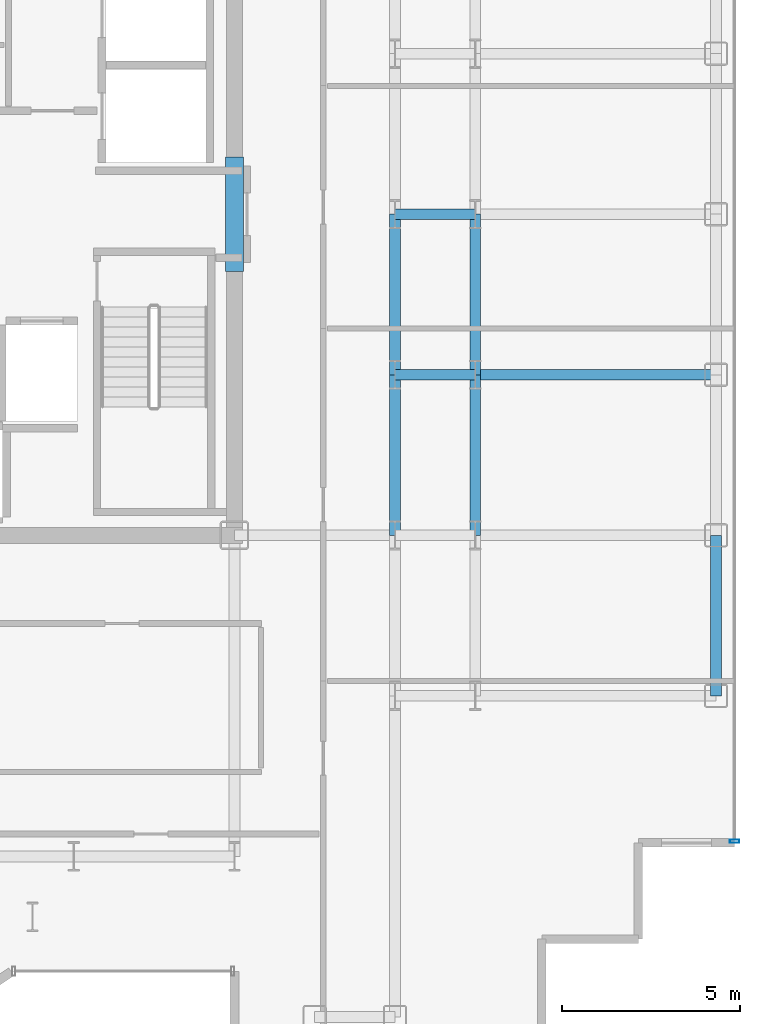
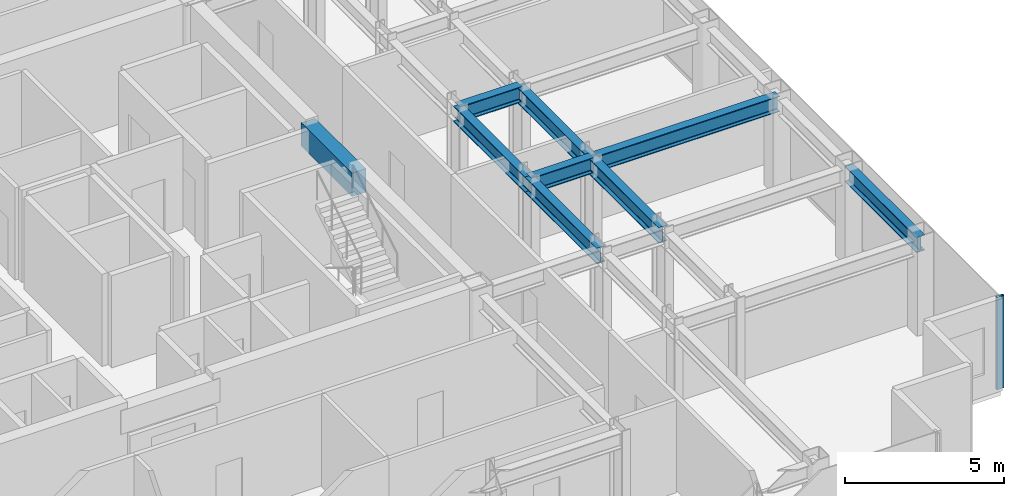
# One storey, part 6 of 20: 9 beams, 1 member, 1 element without a shape of its own.
"""IFC4 building model written with IfcOpenShell, lengths in metres."""

import ifcopenshell
import ifcopenshell.guid

model = None  # the IFC model being written
_history = None  # IfcOwnerHistory: only IFC2X3 demands one
_inside = {}  # id of a spatial element -> (the spatial element, [elements in it])
_under = {}  # id of a project, library or spatial element -> (it, [spatial elements below it])
_declared = {}  # id of a project -> (the project, [libraries it declares])
_typed = {}  # id of a type object -> (the type object, [elements of that type])
_made_of = {}  # id of a material, layer set ... -> (it, [elements and type objects made of it])


def new_model(schema):
    """Start an empty IFC model of exactly this schema.

    Asked for "IFC4X3", IfcOpenShell would pick the latest addendum, in which some entities
    have other attributes; the version numbers below select the first issue.
    IFC2X3 requires an IfcOwnerHistory on every rooted entity: one is made here for all.
    """
    global model, _history
    if schema == "IFC4X3":
        model = ifcopenshell.file(schema_version=(4, 3, 0, 0))
    else:
        model = ifcopenshell.file(schema=schema)
    _inside.clear()
    _under.clear()
    _declared.clear()
    _typed.clear()
    _made_of.clear()
    _history = None
    if model.schema == "IFC2X3":
        org = make("IfcOrganization", Name="unknown")
        user = make(
            "IfcPersonAndOrganization",
            ThePerson=make("IfcPerson", FamilyName="unknown"),
            TheOrganization=org,
        )
        app = make(
            "IfcApplication",
            ApplicationDeveloper=org,
            Version="unknown",
            ApplicationFullName="unknown",
            ApplicationIdentifier="unknown",
        )
        _history = make(
            "IfcOwnerHistory",
            OwningUser=user,
            OwningApplication=app,
            ChangeAction="ADDED",
            CreationDate=0,
        )
    return model


def make(cls, **values):
    """One entity of the class cls with the attributes given. An attribute that is None is left unset."""
    return model.create_entity(
        cls, **{name: value for name, value in values.items() if value is not None}
    )


def rooted(cls, **values):
    """An entity with a GlobalId (a new one), such as an element, a storey or a relation."""
    return make(cls, GlobalId=ifcopenshell.guid.new(), OwnerHistory=_history, **values)


def si_unit(unit_type, name, prefix=None):
    """IfcSIUnit, for example si_unit("LENGTHUNIT", "METRE", prefix="MILLI")."""
    return make("IfcSIUnit", UnitType=unit_type, Prefix=prefix, Name=name)


def assignment(units):
    """IfcUnitAssignment: the units of a project."""
    return None if units is None else make("IfcUnitAssignment", Units=units)


def point(xyz):
    """IfcCartesianPoint."""
    return None if xyz is None else make("IfcCartesianPoint", Coordinates=xyz)


def direction(xyz):
    """IfcDirection."""
    return None if xyz is None else make("IfcDirection", DirectionRatios=xyz)


def frame(location, z_axis=None, x_axis=None):
    """IfcAxis2Placement3D, a coordinate frame: its origin and axes. An axis left out is left unset."""
    return make(
        "IfcAxis2Placement3D",
        Location=point(location),
        Axis=direction(z_axis),
        RefDirection=direction(x_axis),
    )


def frame_2d(location, x_axis=None):
    """IfcAxis2Placement2D, a coordinate frame in the plane: its origin and x axis."""
    return make(
        "IfcAxis2Placement2D", Location=point(location), RefDirection=direction(x_axis)
    )


def origin():
    """The frame at (0, 0, 0) with its axes left unset."""
    return frame((0.0, 0.0, 0.0))


def origin_2d():
    """The frame at (0, 0) in the plane with its x axis left unset."""
    return frame_2d((0.0, 0.0))


def place(relative_to, where):
    """IfcLocalPlacement: puts the frame where relative to a parent placement (None: the world)."""
    return make(
        "IfcLocalPlacement", PlacementRelTo=relative_to, RelativePlacement=where
    )


def context(
    kind, dimensions, precision=None, world=None, true_north=None, identifier=None
):
    """IfcGeometricRepresentationContext, for example the 3D "Model" context."""
    return make(
        "IfcGeometricRepresentationContext",
        ContextIdentifier=identifier,
        ContextType=kind,
        CoordinateSpaceDimension=dimensions,
        Precision=precision,
        WorldCoordinateSystem=world,
        TrueNorth=true_north,
    )


def subcontext(parent, identifier, kind, view, scale=None):
    """IfcGeometricRepresentationSubContext, for example "Body" below "Model"."""
    return make(
        "IfcGeometricRepresentationSubContext",
        ContextIdentifier=identifier,
        ContextType=kind,
        ParentContext=parent,
        TargetScale=scale,
        TargetView=view,
    )


def project(units=None, contexts=None):
    """IfcProject with its units and contexts."""
    return rooted(
        "IfcProject",
        Name="project",
        RepresentationContexts=contexts,
        UnitsInContext=assignment(units),
    )


def spatial(cls, under=None, at=None, **own):
    """A site, building, storey or space (cls), placed at a placement, below another one or the project."""
    s = rooted(cls, ObjectPlacement=at, **own)
    if under is not None:
        _under.setdefault(under.id(), (under, []))[1].append(s)
    return s


def profile(cls, at=None, kind="AREA", **sizes):
    """A parametric profile (cls). Its sizes go by their IFC names, for example OverallWidth=200.0."""
    return make(cls, ProfileType=kind, Position=at, **sizes)


def rectangle(**sizes):
    """IfcRectangleProfileDef."""
    return profile("IfcRectangleProfileDef", **sizes)


def hollow_rectangle(**sizes):
    """IfcRectangleHollowProfileDef."""
    return profile("IfcRectangleHollowProfileDef", **sizes)


def i_section(**sizes):
    """IfcIShapeProfileDef."""
    return profile("IfcIShapeProfileDef", **sizes)


def extrude(swept, where, along, depth):
    """IfcExtrudedAreaSolid: the profile swept, set in the frame where, extruded along a direction by depth."""
    return make(
        "IfcExtrudedAreaSolid",
        SweptArea=swept,
        Position=where,
        ExtrudedDirection=direction(along),
        Depth=depth,
    )


def shape(context_of_items, identifier, shape_type, items):
    """IfcShapeRepresentation: the items that make up one representation, for example the "Body"."""
    return make(
        "IfcShapeRepresentation",
        ContextOfItems=context_of_items,
        RepresentationIdentifier=identifier,
        RepresentationType=shape_type,
        Items=items,
    )


def source(mapping_origin, context_of_items, identifier, shape_type, items):
    """IfcRepresentationMap: a shape defined once, which mapped items show again and again."""
    return make(
        "IfcRepresentationMap",
        MappingOrigin=mapping_origin,
        MappedRepresentation=shape(context_of_items, identifier, shape_type, items),
    )


def transform(
    local_origin,
    x_axis=None,
    y_axis=None,
    z_axis=None,
    scale=None,
    scale2=None,
    scale3=None,
    uniform=True,
):
    """IfcCartesianTransformationOperator3D, or its non-uniform kind. x_axis, y_axis, z_axis: its Axis1, 2, 3."""
    if uniform:
        return make(
            "IfcCartesianTransformationOperator3D",
            Axis1=direction(x_axis),
            Axis2=direction(y_axis),
            LocalOrigin=point(local_origin),
            Scale=scale,
            Axis3=direction(z_axis),
        )
    return make(
        "IfcCartesianTransformationOperator3DnonUniform",
        Axis1=direction(x_axis),
        Axis2=direction(y_axis),
        LocalOrigin=point(local_origin),
        Scale=scale,
        Axis3=direction(z_axis),
        Scale2=scale2,
        Scale3=scale3,
    )


def mapped(mapping_source, mapping_target):
    """IfcMappedItem: shows the shape of a source again, moved by a transform."""
    return make(
        "IfcMappedItem", MappingSource=mapping_source, MappingTarget=mapping_target
    )


def material(Name=None, Category=None):
    """IfcMaterial."""
    return make("IfcMaterial", Name=Name, Category=Category)


def layer(
    of_material, thickness, ventilated=None, Name=None, Category=None, Priority=None
):
    """IfcMaterialLayer: one layer of a wall or slab, of a material (None: an air gap)."""
    return make(
        "IfcMaterialLayer",
        Material=of_material,
        LayerThickness=thickness,
        IsVentilated=ventilated,
        Name=Name,
        Category=Category,
        Priority=Priority,
    )


def layer_set(layers, Name=None):
    """IfcMaterialLayerSet."""
    return make("IfcMaterialLayerSet", MaterialLayers=layers, LayerSetName=Name)


def material_profile(
    of_material, cross_section, Name=None, Category=None, Priority=None
):
    """IfcMaterialProfile: a cross section and its material."""
    return make(
        "IfcMaterialProfile",
        Name=Name,
        Material=of_material,
        Profile=cross_section,
        Priority=Priority,
        Category=Category,
    )


def profile_set(profiles, Name=None, composite=None):
    """IfcMaterialProfileSet."""
    return make(
        "IfcMaterialProfileSet",
        Name=Name,
        MaterialProfiles=profiles,
        CompositeProfile=composite,
    )


def made_of(thing, what):
    """Note that an element or type object is made of a material, layer set ...; save() writes the relation."""
    if what is not None:
        _made_of.setdefault(what.id(), (what, []))[1].append(thing)
    return thing


def type_object(cls, material=None, **own):
    """A type object (cls), such as IfcWallType, which elements share."""
    return made_of(rooted(cls, **own), material)


def element(
    cls,
    number,
    at=None,
    inside=None,
    cuts=None,
    type_object=None,
    material=None,
    context=None,
    identifier="Body",
    shape_type=None,
    held_by="IfcProductDefinitionShape",
    body=None,
    shapes=None,
    **own,
):
    """One element of the class cls, such as IfcWall. Its Tag is "e" and its number.

    at: its placement. inside: the storey or other place that contains it. cuts: it is an
    opening in that element (IfcRelVoidsElement). A single representation is given by context,
    identifier, shape_type and body (its items); several are given by shapes. held_by: the class
    of the entity that holds the representations. save() writes the other relations.
    """
    e = rooted(cls, Tag="e%d" % number, ObjectPlacement=at, **own)
    if body is not None:
        shapes = [shape(context, identifier, shape_type, body)]
    if shapes is not None:
        e.Representation = make(held_by, Representations=shapes)
    if inside is not None:
        _inside.setdefault(inside.id(), (inside, []))[1].append(e)
    if cuts is not None:
        rooted(
            "IfcRelVoidsElement", RelatingBuildingElement=cuts, RelatedOpeningElement=e
        )
    if type_object is not None:
        _typed.setdefault(type_object.id(), (type_object, []))[1].append(e)
    return made_of(e, material)


def aggregate(whole, parts):
    """IfcRelAggregates: a whole, such as a stair, and the parts it consists of."""
    return rooted("IfcRelAggregates", RelatingObject=whole, RelatedObjects=parts)


def save(model, path):
    """Write the relations noted so far, then the file.

    IfcRelAggregates (storeys below a building ...), IfcRelContainedInSpatialStructure (elements
    in a storey), IfcRelDefinesByType, IfcRelAssociatesMaterial and IfcRelDeclares: one each for
    every whole, place, type object, material and project.
    """
    for whole, parts in _under.values():
        aggregate(whole, parts)
    for where, things in _inside.values():
        rooted(
            "IfcRelContainedInSpatialStructure",
            RelatedElements=things,
            RelatingStructure=where,
        )
    for kind, things in _typed.values():
        rooted("IfcRelDefinesByType", RelatedObjects=things, RelatingType=kind)
    for what, things in _made_of.values():
        rooted("IfcRelAssociatesMaterial", RelatedObjects=things, RelatingMaterial=what)
    for by, libraries in _declared.values():
        rooted("IfcRelDeclares", RelatingContext=by, RelatedDefinitions=libraries)
    model.write(path)


model = new_model("IFC4")

# Units and contexts
model_context = context("Model", 3, precision=1e-05, world=origin(), true_north=direction((0.0, 1.0)))
body_context = subcontext(model_context, "Body", "Model", "MODEL_VIEW")
ifc_project = project(units=[si_unit("LENGTHUNIT", "METRE"), si_unit("AREAUNIT", "SQUARE_METRE"), si_unit("VOLUMEUNIT", "CUBIC_METRE"), si_unit("PLANEANGLEUNIT", "RADIAN"), si_unit("MASSUNIT", "GRAM", prefix="KILO")], contexts=[model_context])

# Site, building, storey
site_placement = place(None, origin())
site = spatial("IfcSite", under=ifc_project, at=site_placement, CompositionType="ELEMENT")
building_placement = place(site_placement, origin())
building = spatial("IfcBuilding", under=site, at=building_placement, Name="Nefas-Gora Pilgrimage Tower", CompositionType="ELEMENT")
storey_placement = place(building_placement, frame((0.0, 0.0, 221.800048828125)))
storey = spatial("IfcBuildingStorey", under=building, at=storey_placement, Name="L55", CompositionType="ELEMENT", Elevation=221.800048828125)

# Beams
ifc_material_1 = material(Name="Concrete C50/60", Category="concrete")
ifc_material_profile_1 = material_profile(ifc_material_1, rectangle(XDim=0.5, YDim=0.89990234375, at=origin_2d()), Name="RC 500x900")
ifc_profile_set_1 = profile_set([ifc_material_profile_1], Name="Concrete C50/60")
beam_type_1 = type_object("IfcBeamType", Name="BM-LIN-RC900", PredefinedType="LINTEL", material=ifc_profile_set_1)
shared_shape_1 = source(origin(), body_context, "Body", "SweptSolid", [
    extrude(rectangle(XDim=0.5, YDim=0.89990234375, at=origin_2d()), origin(), (0.0, 0.0, 1.0), 3.2001953125),
])
beam_1_placement = place(storey_placement, frame((11.25, -1.60009765625, 3.099853515625), z_axis=(0.0, 1.0, 0.0), x_axis=(-1.0, 0.0, 0.0)))
element("IfcBeam", 1, at=beam_1_placement, inside=storey, type_object=beam_type_1, Name="L55 Core Coupling Lintel Beam E", PredefinedType="LINTEL", context=body_context, shape_type="MappedRepresentation", body=[
    mapped(shared_shape_1, transform((0.0, 0.0, 0.0), x_axis=(1.0, 0.0, 0.0), y_axis=(0.0, 1.0, 0.0), z_axis=(0.0, 0.0, 1.0), scale=1.0)),
])
ifc_material_2 = material(Name="Steel S355", Category="steel")
ifc_material_profile_2 = material_profile(ifc_material_2, i_section(OverallWidth=0.300048828125, OverallDepth=0.60009765625, WebThickness=0.015380859375, FlangeThickness=0.030029296875, FilletRadius=0.027099609375, at=origin_2d()), Name="HEB 600")
ifc_profile_set_2 = profile_set([ifc_material_profile_2], Name="Steel S355")
beam_type_2 = type_object("IfcBeamType", Name="BM-SPN-HEB450", PredefinedType="SPANDREL", material=ifc_profile_set_2)
shared_shape_2 = source(origin(), body_context, "Body", "SweptSolid", [
    extrude(i_section(OverallWidth=0.300048828125, OverallDepth=0.60009765625, WebThickness=0.015380859375, FlangeThickness=0.030029296875, FilletRadius=0.027099609375, at=origin_2d()), origin(), (0.0, 0.0, 1.0), 4.5),
])
beam_2_placement = place(storey_placement, frame((24.75, -13.5, 3.25), z_axis=(0.0, 1.0, 0.0), x_axis=(-1.0, 0.0, 0.0)))
element("IfcBeam", 2, at=beam_2_placement, inside=storey, type_object=beam_type_2, Name="L55 SP-03 beam", PredefinedType="SPANDREL", context=body_context, shape_type="MappedRepresentation", body=[
    mapped(shared_shape_2, transform((0.0, 0.0, 0.0), x_axis=(1.0, 0.0, 0.0), y_axis=(0.0, 1.0, 0.0), z_axis=(0.0, 0.0, 1.0), scale=1.0)),
])
ifc_material_profile_3 = material_profile(ifc_material_2, i_section(OverallWidth=0.300048828125, OverallDepth=0.60009765625, WebThickness=0.015380859375, FlangeThickness=0.030029296875, FilletRadius=0.027099609375, at=origin_2d()), Name="HEB 600")
ifc_profile_set_3 = profile_set([ifc_material_profile_3], Name="Steel S355")
beam_type_3 = type_object("IfcBeamType", Name="BM-GIR-HEB600", PredefinedType="BEAM", material=ifc_profile_set_3)
shared_shape_3 = source(origin(), body_context, "Body", "SweptSolid", [
    extrude(i_section(OverallWidth=0.300048828125, OverallDepth=0.60009765625, WebThickness=0.015380859375, FlangeThickness=0.030029296875, FilletRadius=0.027099609375, at=origin_2d()), origin(), (0.0, 0.0, 1.0), 4.5),
])
for number, where, z_axis, x_axis, name in (
    (3, (15.75, -9.0, 3.25), (0.0, 1.0, 0.0), (-1.0, 0.0, 0.0), "L55 G-04 beam"),
    (4, (15.75, -4.5, 3.25), (0.0, 1.0, 0.0), (-1.0, 0.0, 0.0), "L55 G-04 beam"),
    (5, (18.0, -9.0, 3.25), (0.0, 1.0, 0.0), (-1.0, 0.0, 0.0), "L55 G-04 beam"),
    (6, (18.0, -4.5, 3.25), (0.0, 1.0, 0.0), (-1.0, 0.0, 0.0), "L55 G-04 beam"),
):
    element("IfcBeam", number, at=place(storey_placement, frame(where, z_axis=z_axis, x_axis=x_axis)), inside=storey, type_object=beam_type_3, Name=name, PredefinedType="BEAM", context=body_context, shape_type="MappedRepresentation", body=[
        mapped(shared_shape_3, transform((0.0, 0.0, 0.0), x_axis=(1.0, 0.0, 0.0), y_axis=(0.0, 1.0, 0.0), z_axis=(0.0, 0.0, 1.0), scale=1.0)),
    ])
shared_shape_4 = source(origin(), body_context, "Body", "SweptSolid", [
    extrude(i_section(OverallWidth=0.300048828125, OverallDepth=0.60009765625, WebThickness=0.015380859375, FlangeThickness=0.030029296875, FilletRadius=0.027099609375, at=origin_2d()), origin(), (0.0, 0.0, 1.0), 6.75),
])
beam_3_placement = place(storey_placement, frame((18.0, -4.5, 3.25), z_axis=(1.0, 0.0, 0.0), x_axis=(0.0, 1.0, 0.0)))
element("IfcBeam", 7, at=beam_3_placement, inside=storey, type_object=beam_type_3, Name="L55 G-04 beam", PredefinedType="BEAM", context=body_context, shape_type="MappedRepresentation", body=[
    mapped(shared_shape_4, transform((0.0, 0.0, 0.0), x_axis=(1.0, 0.0, 0.0), y_axis=(0.0, 1.0, 0.0), z_axis=(0.0, 0.0, 1.0), scale=1.0)),
])
shared_shape_5 = source(origin(), body_context, "Body", "SweptSolid", [
    extrude(i_section(OverallWidth=0.300048828125, OverallDepth=0.60009765625, WebThickness=0.015380859375, FlangeThickness=0.030029296875, FilletRadius=0.027099609375, at=origin_2d()), origin(), (0.0, 0.0, 1.0), 2.25),
])
for number, where, z_axis, x_axis, name in (
    (8, (15.75, -4.5, 3.25), (1.0, 0.0, 0.0), (0.0, 1.0, 0.0), "L55 G-04 beam"),
    (9, (15.75, 0.0, 3.25), (1.0, 0.0, 0.0), (0.0, 1.0, 0.0), "L55 G-04 beam"),
):
    element("IfcBeam", number, at=place(storey_placement, frame(where, z_axis=z_axis, x_axis=x_axis)), inside=storey, type_object=beam_type_3, Name=name, PredefinedType="BEAM", context=body_context, shape_type="MappedRepresentation", body=[
        mapped(shared_shape_5, transform((0.0, 0.0, 0.0), x_axis=(1.0, 0.0, 0.0), y_axis=(0.0, 1.0, 0.0), z_axis=(0.0, 0.0, 1.0), scale=1.0)),
    ])

# Curtain wall, member
ifc_material_3 = material(Name="Dark ceramic-fritted solar-control aluminium-glass curtain wall", Category="aluminium")
ifc_layer = layer(ifc_material_3, 0.219970703125)
ifc_layer_set = layer_set([ifc_layer], Name="Dark ceramic-fritted solar-control aluminium-glass curtain wall")
curtain_wall_type = type_object("IfcCurtainWallType", Name="CW-SYS-3", PredefinedType="NOTDEFINED", material=ifc_layer_set)
curtain_wall_placement = place(storey_placement, origin())
curtain_wall = element("IfcCurtainWall", 10, at=curtain_wall_placement, inside=storey, type_object=curtain_wall_type, Name="L55 Unitised Curtain Wall CW3", PredefinedType="NOTDEFINED")
ifc_material_4 = material(Name="Anodised architectural aluminium", Category="aluminium")
ifc_material_profile_4 = material_profile(ifc_material_4, hollow_rectangle(XDim=0.090087890625, YDim=0.260009765625, WallThickness=0.006103515625, InnerFilletRadius=0.006103515625, OuterFilletRadius=0.011962890625, at=origin_2d()), Name="ALU MULLION 90x260")
ifc_profile_set_4 = profile_set([ifc_material_profile_4], Name="Anodised architectural aluminium")
member_type = type_object("IfcMemberType", Name="CWM-MUL-3", PredefinedType="MULLION", material=ifc_profile_set_4)
shared_shape_6 = source(origin(), body_context, "Body", "SweptSolid", [
    extrude(hollow_rectangle(XDim=0.090087890625, YDim=0.260009765625, WallThickness=0.006103515625, InnerFilletRadius=0.006103515625, OuterFilletRadius=0.011962890625, at=origin_2d()), origin(), (0.0, 0.0, 1.0), 3.550048828125),
])
member_placement = place(storey_placement, frame((25.27001953125, -17.574951171875, 0.0), z_axis=(0.0, 0.0, 1.0), x_axis=(0.0, 1.0, 0.0)))
member = element("IfcMember", 11, at=member_placement, type_object=member_type, Name="CW3 Mullion 1", PredefinedType="MULLION", context=body_context, shape_type="MappedRepresentation", body=[
    mapped(shared_shape_6, transform((0.0, 0.0, 0.0), x_axis=(1.0, 0.0, 0.0), y_axis=(0.0, 1.0, 0.0), z_axis=(0.0, 0.0, 1.0), scale=1.0)),
])
aggregate(curtain_wall, [member])

save(model, "model.ifc")
